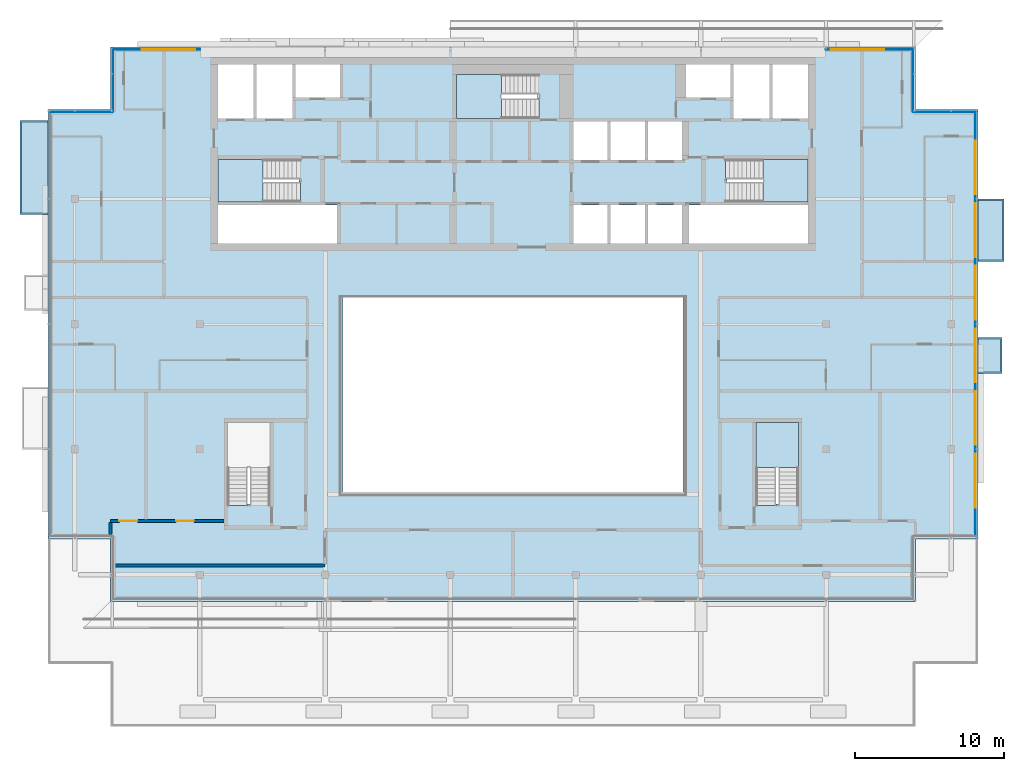
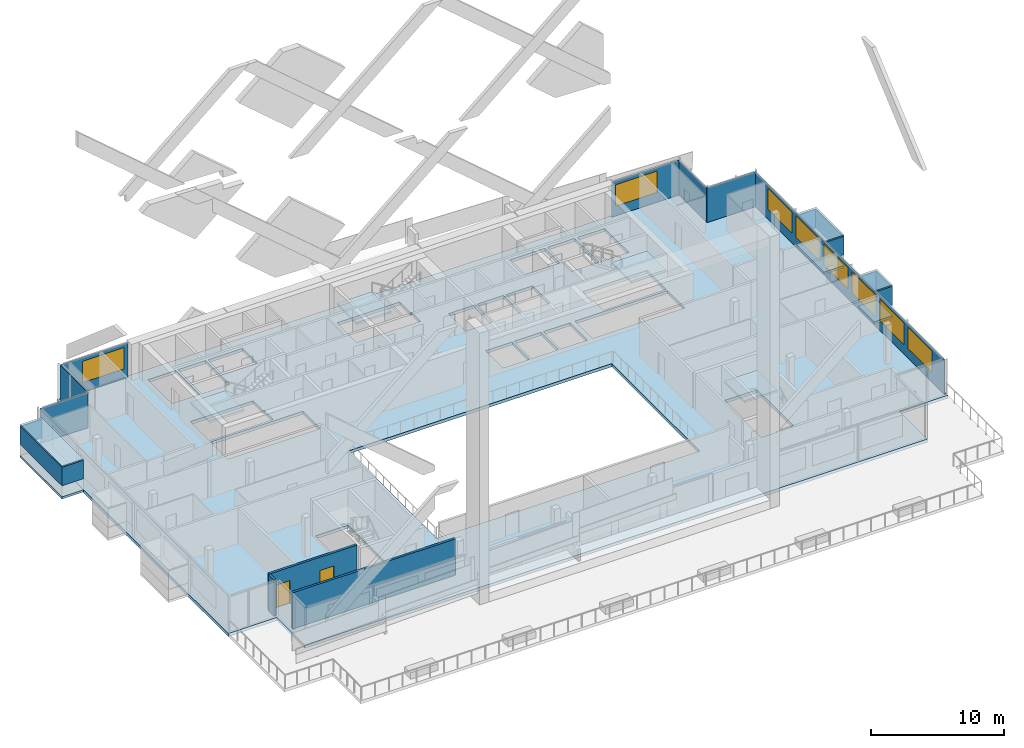
# One storey, part 10 of 22: 13 plates, 8 slabs, 8 windows, 3 walls, 2 doors, 10 openings, 10 elements without a shape of their own.
"""IFC4 building model written with IfcOpenShell, lengths in metres."""

from ifc_helpers import new_model, si_unit, direction, frame, frame_2d, origin, place, context, subcontext, project, spatial, polyline, rectangle, outline, extrude, material, layer, layer_set, type_object, element, fill, aggregate, save


model = new_model("IFC4")

# Units and contexts
model_context = context("Model", 3, precision=1e-05, world=origin(), true_north=direction((0.0, 1.0)))
body_context = subcontext(model_context, "Body", "Model", "MODEL_VIEW")
ifc_project = project(units=[si_unit("LENGTHUNIT", "METRE"), si_unit("AREAUNIT", "SQUARE_METRE"), si_unit("VOLUMEUNIT", "CUBIC_METRE"), si_unit("PLANEANGLEUNIT", "RADIAN"), si_unit("MASSUNIT", "GRAM", prefix="KILO")], contexts=[model_context])

# Site, building, storey
site_placement = place(None, origin())
site = spatial("IfcSite", under=ifc_project, at=site_placement, CompositionType="ELEMENT")
building_placement = place(site_placement, origin())
building = spatial("IfcBuilding", under=site, at=building_placement, Name="Saffron Gate Tower", CompositionType="ELEMENT")
storey_placement = place(building_placement, frame((0.0, 0.0, 285.14990234375)))
storey = spatial("IfcBuildingStorey", under=building, at=storey_placement, Name="L69", CompositionType="ELEMENT", Elevation=285.14990234375)

# Curtain wall, plate, openings, windows
ifc_material_1 = material(Name="Aluminium, bronze anodised", Category="aluminium")
curtain_wall_type_1 = type_object("IfcCurtainWallType", Name="CWS2 curtain wall side facades", PredefinedType="NOTDEFINED", material=ifc_material_1)
curtain_wall_1_placement = place(storey_placement, origin())
curtain_wall_1 = element("IfcCurtainWall", 1, at=curtain_wall_1_placement, inside=storey, type_object=curtain_wall_type_1, Name="CWS2 run 4", PredefinedType="NOTDEFINED")
ifc_material_2 = material(Name="Fritted bronze-tinted laminated glass", Category="glass")
ifc_layer_1 = layer(ifc_material_2, 0.028076171875)
ifc_layer_set_1 = layer_set([ifc_layer_1], Name="CWS2 fixed glass")
plate_type_1 = type_object("IfcPlateType", Name="CWS2 fixed glass", PredefinedType="CURTAIN_PANEL", material=ifc_layer_set_1)
plate_1_placement = place(storey_placement, frame((118.6259765625, 42.7880859375, 0.0), z_axis=(0.0, 0.0, 1.0), x_axis=(0.0, 1.0, 0.0)))
plate_1 = element("IfcPlate", 2, at=plate_1_placement, type_object=plate_type_1, Name="CWS2 glass panel", PredefinedType="CURTAIN_PANEL", context=body_context, shape_type="SweptSolid", body=[
    extrude(rectangle(XDim=28.423828125, YDim=0.028076171875, at=frame_2d((14.2119140625, 0.0))), origin(), (0.0, 0.0, 1.0), 3.2001953125),
])
opening_1_placement = place(plate_1_placement, frame((1.912109375, 0.0, 0.89990234375)))
opening_1 = element("IfcOpeningElement", 3, at=opening_1_placement, cuts=plate_1, Name="Opening W1", PredefinedType="OPENING", context=body_context, shape_type="SweptSolid", body=[
    extrude(rectangle(XDim=3.60009765625, YDim=1.949951171875, at=frame_2d((1.800048828125, 0.97509765625))), frame((0.0, 0.02392578125, 0.0), z_axis=(0.0, -1.0, 0.0), x_axis=(1.0, 0.0, 0.0)), (0.0, 0.0, 1.0), 0.048095703125),
])
opening_2_placement = place(plate_1_placement, frame((6.112060546875, 0.0, 0.89990234375)))
opening_2 = element("IfcOpeningElement", 4, at=opening_2_placement, cuts=plate_1, Name="Opening W1", PredefinedType="OPENING", context=body_context, shape_type="SweptSolid", body=[
    extrude(rectangle(XDim=3.60009765625, YDim=1.949951171875, at=frame_2d((1.800048828125, 0.97509765625))), frame((0.0, 0.02392578125, 0.0), z_axis=(0.0, -1.0, 0.0), x_axis=(1.0, 0.0, 0.0)), (0.0, 0.0, 1.0), 0.048095703125),
])
opening_3_placement = place(plate_1_placement, frame((10.31201171875, 0.0, 0.89990234375)))
opening_3 = element("IfcOpeningElement", 5, at=opening_3_placement, cuts=plate_1, Name="Opening W1", PredefinedType="OPENING", context=body_context, shape_type="SweptSolid", body=[
    extrude(rectangle(XDim=3.60009765625, YDim=1.949951171875, at=frame_2d((1.800048828125, 0.97509765625))), frame((0.0, 0.02392578125, 0.0), z_axis=(0.0, -1.0, 0.0), x_axis=(1.0, 0.0, 0.0)), (0.0, 0.0, 1.0), 0.048095703125),
])
opening_4_placement = place(plate_1_placement, frame((14.511962890625, 0.0, 0.89990234375)))
opening_4 = element("IfcOpeningElement", 6, at=opening_4_placement, cuts=plate_1, Name="Opening W1", PredefinedType="OPENING", context=body_context, shape_type="SweptSolid", body=[
    extrude(rectangle(XDim=3.60009765625, YDim=1.949951171875, at=frame_2d((1.800048828125, 0.97509765625))), frame((0.0, 0.02392578125, 0.0), z_axis=(0.0, -1.0, 0.0), x_axis=(1.0, 0.0, 0.0)), (0.0, 0.0, 1.0), 0.048095703125),
])
opening_5_placement = place(plate_1_placement, frame((18.7119140625, 0.0, 0.89990234375)))
opening_5 = element("IfcOpeningElement", 7, at=opening_5_placement, cuts=plate_1, Name="Opening W1", PredefinedType="OPENING", context=body_context, shape_type="SweptSolid", body=[
    extrude(rectangle(XDim=3.60009765625, YDim=1.949951171875, at=frame_2d((1.800048828125, 0.97509765625))), frame((0.0, 0.02392578125, 0.0), z_axis=(0.0, -1.0, 0.0), x_axis=(1.0, 0.0, 0.0)), (0.0, 0.0, 1.0), 0.048095703125),
])
opening_6_placement = place(plate_1_placement, frame((22.912109375, 0.0, 0.89990234375)))
opening_6 = element("IfcOpeningElement", 8, at=opening_6_placement, cuts=plate_1, Name="Opening W1", PredefinedType="OPENING", context=body_context, shape_type="SweptSolid", body=[
    extrude(rectangle(XDim=3.60009765625, YDim=1.949951171875, at=frame_2d((1.800048828125, 0.97509765625))), frame((0.0, 0.02392578125, 0.0), z_axis=(0.0, -1.0, 0.0), x_axis=(1.0, 0.0, 0.0)), (0.0, 0.0, 1.0), 0.048095703125),
])
ifc_material_3 = material(Name="Fritted bronze-tinted laminated glass in bronze frame", Category="glass")
ifc_layer_2 = layer(ifc_material_3, 0.06005859375)
ifc_layer_set_2 = layer_set([ifc_layer_2], Name="W1 operable panel 3600x1950")
window_type = type_object("IfcWindowType", Name="W1 operable panel 3600x1950", PartitioningType="DOUBLE_PANEL_HORIZONTAL", PredefinedType="WINDOW", material=ifc_layer_set_2)
window_1_placement = place(opening_1_placement, origin())
window_1 = element("IfcWindow", 9, at=window_1_placement, type_object=window_type, Name="W1 operable panel", OverallHeight=1.949951171875, OverallWidth=3.60009765625, PartitioningType="SINGLE_PANEL", PredefinedType="WINDOW", context=body_context, shape_type="SweptSolid", body=[
    extrude(rectangle(XDim=3.60009765625, YDim=1.949951171875, at=frame_2d((1.800048828125, 0.97509765625))), frame((0.0, 0.013671875, 0.0), z_axis=(0.0, -1.0, 0.0), x_axis=(1.0, 0.0, 0.0)), (0.0, 0.0, 1.0), 0.027587890625),
])
fill(opening_1, window_1)
window_2_placement = place(opening_2_placement, origin())
window_2 = element("IfcWindow", 10, at=window_2_placement, type_object=window_type, Name="W1 operable panel", OverallHeight=1.949951171875, OverallWidth=3.60009765625, PartitioningType="SINGLE_PANEL", PredefinedType="WINDOW", context=body_context, shape_type="SweptSolid", body=[
    extrude(rectangle(XDim=3.60009765625, YDim=1.949951171875, at=frame_2d((1.800048828125, 0.97509765625))), frame((0.0, 0.013671875, 0.0), z_axis=(0.0, -1.0, 0.0), x_axis=(1.0, 0.0, 0.0)), (0.0, 0.0, 1.0), 0.027587890625),
])
fill(opening_2, window_2)
window_3_placement = place(opening_3_placement, origin())
window_3 = element("IfcWindow", 11, at=window_3_placement, type_object=window_type, Name="W1 operable panel", OverallHeight=1.949951171875, OverallWidth=3.60009765625, PartitioningType="SINGLE_PANEL", PredefinedType="WINDOW", context=body_context, shape_type="SweptSolid", body=[
    extrude(rectangle(XDim=3.60009765625, YDim=1.949951171875, at=frame_2d((1.800048828125, 0.97509765625))), frame((0.0, 0.013671875, 0.0), z_axis=(0.0, -1.0, 0.0), x_axis=(1.0, 0.0, 0.0)), (0.0, 0.0, 1.0), 0.027587890625),
])
fill(opening_3, window_3)
window_4_placement = place(opening_4_placement, origin())
window_4 = element("IfcWindow", 12, at=window_4_placement, type_object=window_type, Name="W1 operable panel", OverallHeight=1.949951171875, OverallWidth=3.60009765625, PartitioningType="SINGLE_PANEL", PredefinedType="WINDOW", context=body_context, shape_type="SweptSolid", body=[
    extrude(rectangle(XDim=3.60009765625, YDim=1.949951171875, at=frame_2d((1.800048828125, 0.97509765625))), frame((0.0, 0.013671875, 0.0), z_axis=(0.0, -1.0, 0.0), x_axis=(1.0, 0.0, 0.0)), (0.0, 0.0, 1.0), 0.027587890625),
])
fill(opening_4, window_4)
window_5_placement = place(opening_5_placement, origin())
window_5 = element("IfcWindow", 13, at=window_5_placement, type_object=window_type, Name="W1 operable panel", OverallHeight=1.949951171875, OverallWidth=3.60009765625, PartitioningType="SINGLE_PANEL", PredefinedType="WINDOW", context=body_context, shape_type="SweptSolid", body=[
    extrude(rectangle(XDim=3.60009765625, YDim=1.949951171875, at=frame_2d((1.800048828125, 0.97509765625))), frame((0.0, 0.013671875, 0.0), z_axis=(0.0, -1.0, 0.0), x_axis=(1.0, 0.0, 0.0)), (0.0, 0.0, 1.0), 0.027587890625),
])
fill(opening_5, window_5)
window_6_placement = place(opening_6_placement, origin())
window_6 = element("IfcWindow", 14, at=window_6_placement, type_object=window_type, Name="W1 operable panel", OverallHeight=1.949951171875, OverallWidth=3.60009765625, PartitioningType="SINGLE_PANEL", PredefinedType="WINDOW", context=body_context, shape_type="SweptSolid", body=[
    extrude(rectangle(XDim=3.60009765625, YDim=1.949951171875, at=frame_2d((1.800048828125, 0.97509765625))), frame((0.0, 0.013671875, 0.0), z_axis=(0.0, -1.0, 0.0), x_axis=(1.0, 0.0, 0.0)), (0.0, 0.0, 1.0), 0.027587890625),
])
fill(opening_6, window_6)
aggregate(curtain_wall_1, [plate_1, window_1, window_2, window_3, window_4, window_5, window_6])

# Curtain wall, plates, openings, windows
curtain_wall_type_2 = type_object("IfcCurtainWallType", Name="CWS3 curtain wall rear facade", PredefinedType="NOTDEFINED", material=ifc_material_1)
curtain_wall_2_placement = place(storey_placement, origin())
curtain_wall_2 = element("IfcCurtainWall", 15, at=curtain_wall_2_placement, inside=storey, type_object=curtain_wall_type_2, Name="CWS3 run 7", PredefinedType="NOTDEFINED")
ifc_material_4 = material(Name="Fritted grey-tinted laminated glass", Category="glass")
ifc_layer_3 = layer(ifc_material_4, 0.028076171875)
ifc_layer_set_3 = layer_set([ifc_layer_3], Name="CWS3 fixed glass")
plate_type_2 = type_object("IfcPlateType", Name="CWS3 fixed glass", PredefinedType="CURTAIN_PANEL", material=ifc_layer_set_3)
plate_2_placement = place(storey_placement, frame((114.412109375, 75.426025390625, 0.0), z_axis=(0.0, 0.0, 1.0), x_axis=(-1.0, 0.0, 0.0)))
plate_2 = element("IfcPlate", 16, at=plate_2_placement, type_object=plate_type_2, Name="CWS3 glass panel", PredefinedType="CURTAIN_PANEL", context=body_context, shape_type="SweptSolid", body=[
    extrude(rectangle(XDim=5.84716796875, YDim=0.028076171875, at=frame_2d((2.923583984375, 0.0))), origin(), (0.0, 0.0, 1.0), 3.2001953125),
])
opening_7_placement = place(plate_2_placement, frame((1.912109375, 0.0, 0.89990234375)))
opening_7 = element("IfcOpeningElement", 17, at=opening_7_placement, cuts=plate_2, Name="Opening W1", PredefinedType="OPENING", context=body_context, shape_type="SweptSolid", body=[
    extrude(rectangle(XDim=3.60009765625, YDim=1.949951171875, at=frame_2d((1.800048828125, 0.97509765625))), frame((0.0, 0.02392578125, 0.0), z_axis=(0.0, -1.0, 0.0), x_axis=(1.0, 0.0, 0.0)), (0.0, 0.0, 1.0), 0.048095703125),
])
window_7_placement = place(opening_7_placement, origin())
window_7 = element("IfcWindow", 18, at=window_7_placement, type_object=window_type, Name="W1 operable panel", OverallHeight=1.949951171875, OverallWidth=3.60009765625, PartitioningType="SINGLE_PANEL", PredefinedType="WINDOW", context=body_context, shape_type="SweptSolid", body=[
    extrude(rectangle(XDim=3.60009765625, YDim=1.949951171875, at=frame_2d((1.800048828125, 0.97509765625))), frame((0.0, 0.013671875, 0.0), z_axis=(0.0, -1.0, 0.0), x_axis=(1.0, 0.0, 0.0)), (0.0, 0.0, 1.0), 0.027587890625),
])
fill(opening_7, window_7)
plate_3_placement = place(storey_placement, frame((66.635009765625, 75.426025390625, 0.0), z_axis=(0.0, 0.0, 1.0), x_axis=(-1.0, 0.0, 0.0)))
plate_3 = element("IfcPlate", 19, at=plate_3_placement, type_object=plate_type_2, Name="CWS3 glass panel", PredefinedType="CURTAIN_PANEL", context=body_context, shape_type="SweptSolid", body=[
    extrude(rectangle(XDim=5.846923828125, YDim=0.028076171875, at=frame_2d((2.92333984375, 0.0))), origin(), (0.0, 0.0, 1.0), 3.2001953125),
])
opening_8_placement = place(plate_3_placement, frame((0.3349609375, 0.0, 0.89990234375)))
opening_8 = element("IfcOpeningElement", 20, at=opening_8_placement, cuts=plate_3, Name="Opening W1", PredefinedType="OPENING", context=body_context, shape_type="SweptSolid", body=[
    extrude(rectangle(XDim=3.60009765625, YDim=1.949951171875, at=frame_2d((1.800048828125, 0.97509765625))), frame((0.0, 0.02392578125, 0.0), z_axis=(0.0, -1.0, 0.0), x_axis=(1.0, 0.0, 0.0)), (0.0, 0.0, 1.0), 0.048095703125),
])
window_8_placement = place(opening_8_placement, origin())
window_8 = element("IfcWindow", 21, at=window_8_placement, type_object=window_type, Name="W1 operable panel", OverallHeight=1.949951171875, OverallWidth=3.60009765625, PartitioningType="SINGLE_PANEL", PredefinedType="WINDOW", context=body_context, shape_type="SweptSolid", body=[
    extrude(rectangle(XDim=3.60009765625, YDim=1.949951171875, at=frame_2d((1.800048828125, 0.97509765625))), frame((0.0, 0.013671875, 0.0), z_axis=(0.0, -1.0, 0.0), x_axis=(1.0, 0.0, 0.0)), (0.0, 0.0, 1.0), 0.027587890625),
])
fill(opening_8, window_8)
aggregate(curtain_wall_2, [plate_2, plate_3, window_7, window_8])

# Curtain wall, plate
curtain_wall_type_3 = type_object("IfcCurtainWallType", Name="CWS4 curtain wall corner returns", PredefinedType="NOTDEFINED", material=ifc_material_1)
curtain_wall_3_placement = place(storey_placement, origin())
curtain_wall_3 = element("IfcCurtainWall", 22, at=curtain_wall_3_placement, inside=storey, type_object=curtain_wall_type_3, Name="CWS4 run 5", PredefinedType="NOTDEFINED")
ifc_layer_4 = layer(ifc_material_2, 0.028076171875)
ifc_layer_set_4 = layer_set([ifc_layer_4], Name="CWS4 fixed glass")
plate_type_3 = type_object("IfcPlateType", Name="CWS4 fixed glass", PredefinedType="CURTAIN_PANEL", material=ifc_layer_set_4)
plate_4_placement = place(storey_placement, frame((118.612060546875, 71.22607421875, 0.0), z_axis=(0.0, 0.0, 1.0), x_axis=(-1.0, 0.0, 0.0)))
plate_4 = element("IfcPlate", 23, at=plate_4_placement, type_object=plate_type_3, Name="CWS4 glass panel", PredefinedType="CURTAIN_PANEL", context=body_context, shape_type="SweptSolid", body=[
    extrude(rectangle(XDim=4.172119140625, YDim=0.028076171875, at=frame_2d((2.0859375, 0.0))), origin(), (0.0, 0.0, 1.0), 3.2001953125),
])
aggregate(curtain_wall_3, [plate_4])

curtain_wall_4_placement = place(storey_placement, origin())
curtain_wall_4 = element("IfcCurtainWall", 24, at=curtain_wall_4_placement, inside=storey, type_object=curtain_wall_type_3, Name="CWS4 run 6", PredefinedType="NOTDEFINED")
plate_5_placement = place(storey_placement, frame((114.426025390625, 71.239990234375, 0.0), z_axis=(0.0, 0.0, 1.0), x_axis=(0.0, 1.0, 0.0)))
plate_5 = element("IfcPlate", 25, at=plate_5_placement, type_object=plate_type_3, Name="CWS4 glass panel", PredefinedType="CURTAIN_PANEL", context=body_context, shape_type="SweptSolid", body=[
    extrude(rectangle(XDim=4.172119140625, YDim=0.028076171875, at=frame_2d((2.0859375, 0.0))), origin(), (0.0, 0.0, 1.0), 3.2001953125),
])
aggregate(curtain_wall_4, [plate_5])

curtain_wall_5_placement = place(storey_placement, origin())
curtain_wall_5 = element("IfcCurtainWall", 26, at=curtain_wall_5_placement, inside=storey, type_object=curtain_wall_type_3, Name="CWS4 run 8", PredefinedType="NOTDEFINED")
plate_6_placement = place(storey_placement, frame((60.77392578125, 75.412109375, 0.0), z_axis=(0.0, 0.0, 1.0), x_axis=(0.0, -1.0, 0.0)))
plate_6 = element("IfcPlate", 27, at=plate_6_placement, type_object=plate_type_3, Name="CWS4 glass panel", PredefinedType="CURTAIN_PANEL", context=body_context, shape_type="SweptSolid", body=[
    extrude(rectangle(XDim=4.172119140625, YDim=0.028076171875, at=frame_2d((2.0859375, 0.0))), origin(), (0.0, 0.0, 1.0), 3.2001953125),
])
aggregate(curtain_wall_5, [plate_6])

curtain_wall_6_placement = place(storey_placement, origin())
curtain_wall_6 = element("IfcCurtainWall", 28, at=curtain_wall_6_placement, inside=storey, type_object=curtain_wall_type_3, Name="CWS4 run 9", PredefinedType="NOTDEFINED")
plate_7_placement = place(storey_placement, frame((60.760009765625, 71.22607421875, 0.0), z_axis=(0.0, 0.0, 1.0), x_axis=(-1.0, 0.0, 0.0)))
plate_7 = element("IfcPlate", 29, at=plate_7_placement, type_object=plate_type_3, Name="CWS4 glass panel", PredefinedType="CURTAIN_PANEL", context=body_context, shape_type="SweptSolid", body=[
    extrude(rectangle(XDim=4.172119140625, YDim=0.028076171875, at=frame_2d((2.0859375, 0.0))), origin(), (0.0, 0.0, 1.0), 3.2001953125),
])
aggregate(curtain_wall_6, [plate_7])

# Slab
ifc_material_5 = material(Name="Concrete C40", Category="concrete")
ifc_layer_5 = layer(ifc_material_5, 0.280029296875)
ifc_layer_set_5 = layer_set([ifc_layer_5], Name="S2 FLOOR SLAB 280 CONCRETE C40")
slab_type_1 = type_object("IfcSlabType", Name="S2 FLOOR SLAB 280 CONCRETE C40", PredefinedType="FLOOR", material=ifc_layer_set_5)
slab_1_placement = place(storey_placement, frame((0.0, 0.0, -0.27978515625)))
element("IfcSlab", 30, at=slab_1_placement, inside=storey, type_object=slab_type_1, Name="S2 FLOOR SLAB", PredefinedType="FLOOR", context=body_context, shape_type="SweptSolid", body=[
    extrude(outline(polyline([(56.39990234375, 42.60009765625), (60.60009765625, 42.60009765625), (60.60009765625, 38.39990234375), (114.60009765625, 38.39990234375), (114.60009765625, 42.60009765625), (118.800048828125, 42.60009765625), (118.800048828125, 71.39990234375), (114.60009765625, 71.39990234375), (114.60009765625, 75.60009765625), (60.60009765625, 75.60009765625), (60.60009765625, 71.39990234375), (56.39990234375, 71.39990234375), (56.39990234375, 42.60009765625)]), holes=[polyline([(67.800048828125, 62.39990234375), (67.800048828125, 65.0), (75.800048828125, 65.0), (75.800048828125, 62.39990234375), (67.800048828125, 62.39990234375)]), polyline([(67.800048828125, 65.199951171875), (67.800048828125, 68.050048828125), (73.25, 68.050048828125), (73.25, 66.550048828125), (73.34912109375, 66.550048828125), (73.34912109375, 65.199951171875), (67.800048828125, 65.199951171875)]), polyline([(67.800048828125, 70.800048828125), (67.800048828125, 74.39990234375), (70.199951171875, 74.39990234375), (70.199951171875, 70.800048828125), (67.800048828125, 70.800048828125)]), polyline([(68.449951171875, 44.85107421875), (68.449951171875, 50.39990234375), (71.300048828125, 50.39990234375), (71.300048828125, 44.949951171875), (69.800048828125, 44.949951171875), (69.800048828125, 44.85107421875), (68.449951171875, 44.85107421875)]), polyline([(70.39990234375, 70.800048828125), (70.39990234375, 74.39990234375), (72.800048828125, 74.39990234375), (72.800048828125, 70.800048828125), (70.39990234375, 70.800048828125)]), polyline([(73.0, 72.199951171875), (73.0, 74.39990234375), (76.0, 74.39990234375), (76.0, 72.199951171875), (73.0, 72.199951171875)]), polyline([(76.199951171875, 45.60009765625), (76.199951171875, 58.800048828125), (99.0, 58.800048828125), (99.0, 45.60009765625), (76.199951171875, 45.60009765625)]), polyline([(83.800048828125, 70.800048828125), (83.800048828125, 73.75), (89.25, 73.75), (89.25, 72.14990234375), (89.34912109375, 72.14990234375), (89.34912109375, 70.800048828125), (83.800048828125, 70.800048828125)]), polyline([(91.64990234375, 62.39990234375), (91.64990234375, 65.0), (93.949951171875, 65.0), (93.949951171875, 62.39990234375), (91.64990234375, 62.39990234375)]), polyline([(91.64990234375, 68.0), (91.64990234375, 70.60009765625), (93.949951171875, 70.60009765625), (93.949951171875, 68.0), (91.64990234375, 68.0)]), polyline([(94.14990234375, 62.39990234375), (94.14990234375, 65.0), (96.449951171875, 65.0), (96.449951171875, 62.39990234375), (94.14990234375, 62.39990234375)]), polyline([(94.14990234375, 68.0), (94.14990234375, 70.60009765625), (96.449951171875, 70.60009765625), (96.449951171875, 68.0), (94.14990234375, 68.0)]), polyline([(96.64990234375, 62.39990234375), (96.64990234375, 65.0), (98.949951171875, 65.0), (98.949951171875, 62.39990234375), (96.64990234375, 62.39990234375)]), polyline([(96.64990234375, 68.0), (96.64990234375, 70.60009765625), (98.949951171875, 70.60009765625), (98.949951171875, 68.0), (96.64990234375, 68.0)]), polyline([(99.199951171875, 72.199951171875), (99.199951171875, 74.39990234375), (102.199951171875, 74.39990234375), (102.199951171875, 72.199951171875), (99.199951171875, 72.199951171875)]), polyline([(99.39990234375, 62.39990234375), (99.39990234375, 65.0), (107.39990234375, 65.0), (107.39990234375, 62.39990234375), (99.39990234375, 62.39990234375)]), polyline([(101.85107421875, 66.699951171875), (101.85107421875, 68.050048828125), (107.39990234375, 68.050048828125), (107.39990234375, 65.199951171875), (101.949951171875, 65.199951171875), (101.949951171875, 66.699951171875), (101.85107421875, 66.699951171875)]), polyline([(102.39990234375, 70.800048828125), (102.39990234375, 74.39990234375), (104.800048828125, 74.39990234375), (104.800048828125, 70.800048828125), (102.39990234375, 70.800048828125)]), polyline([(103.89990234375, 44.85107421875), (103.89990234375, 50.39990234375), (106.75, 50.39990234375), (106.75, 44.949951171875), (105.25, 44.949951171875), (105.25, 44.85107421875), (103.89990234375, 44.85107421875)]), polyline([(105.0, 70.800048828125), (105.0, 74.39990234375), (107.39990234375, 74.39990234375), (107.39990234375, 70.800048828125), (105.0, 70.800048828125)])]), origin(), (0.0, 0.0, 1.0), 0.27978515625),
])

# Stair, slab
stair_type = type_object("IfcStairType", Name="ST7 Stair 1350 wide, 20 risers of 180", PredefinedType="HALF_TURN_STAIR", material=ifc_material_5)
stair_1_placement = place(storey_placement, origin())
stair_1 = element("IfcStair", 31, at=stair_1_placement, inside=storey, type_object=stair_type, Name="L69 Exit stair A", PredefinedType="HALF_TURN_STAIR")
ifc_layer_6 = layer(ifc_material_5, 0.199951171875)
ifc_layer_set_6 = layer_set([ifc_layer_6], Name="SL1 Stair landing 200")
slab_type_2 = type_object("IfcSlabType", Name="SL1 Stair landing 200", PredefinedType="LANDING", material=ifc_layer_set_6)
slab_2_placement = place(storey_placement, frame((0.0, 0.0, 1.60009765625)))
slab_2 = element("IfcSlab", 32, at=slab_2_placement, type_object=slab_type_2, Name="ST-A landing 1", PredefinedType="LANDING", context=body_context, shape_type="SweptSolid", body=[
    extrude(outline(polyline([(70.830078125, 68.050048828125), (67.800048828125, 68.050048828125), (67.800048828125, 65.199951171875), (70.830078125, 65.199951171875), (70.830078125, 68.050048828125)])), origin(), (0.0, 0.0, 1.0), 0.199951171875),
])
aggregate(stair_1, [slab_2])

stair_2_placement = place(storey_placement, origin())
stair_2 = element("IfcStair", 33, at=stair_2_placement, inside=storey, type_object=stair_type, Name="L69 Exit stair B", PredefinedType="HALF_TURN_STAIR")
slab_3_placement = place(storey_placement, frame((0.0, 0.0, 1.60009765625)))
slab_3 = element("IfcSlab", 34, at=slab_3_placement, type_object=slab_type_2, Name="ST-B landing 1", PredefinedType="LANDING", context=body_context, shape_type="SweptSolid", body=[
    extrude(outline(polyline([(104.3701171875, 65.199951171875), (107.39990234375, 65.199951171875), (107.39990234375, 68.050048828125), (104.3701171875, 68.050048828125), (104.3701171875, 65.199951171875)])), origin(), (0.0, 0.0, 1.0), 0.199951171875),
])
aggregate(stair_2, [slab_3])

stair_3_placement = place(storey_placement, origin())
stair_3 = element("IfcStair", 35, at=stair_3_placement, inside=storey, type_object=stair_type, Name="L69 Exit stair C", PredefinedType="HALF_TURN_STAIR")
slab_4_placement = place(storey_placement, frame((0.0, 0.0, 1.60009765625)))
slab_4 = element("IfcSlab", 36, at=slab_4_placement, type_object=slab_type_2, Name="ST-C landing 1", PredefinedType="LANDING", context=body_context, shape_type="SweptSolid", body=[
    extrude(outline(polyline([(86.830078125, 73.75), (83.800048828125, 73.75), (83.800048828125, 70.800048828125), (86.830078125, 70.800048828125), (86.830078125, 73.75)])), origin(), (0.0, 0.0, 1.0), 0.199951171875),
])
aggregate(stair_3, [slab_4])

stair_4_placement = place(storey_placement, origin())
stair_4 = element("IfcStair", 37, at=stair_4_placement, inside=storey, type_object=stair_type, Name="L69 Exit stair E", PredefinedType="HALF_TURN_STAIR")
slab_5_placement = place(storey_placement, frame((0.0, 0.0, 1.60009765625)))
slab_5 = element("IfcSlab", 38, at=slab_5_placement, type_object=slab_type_2, Name="ST-E landing 1", PredefinedType="LANDING", context=body_context, shape_type="SweptSolid", body=[
    extrude(outline(polyline([(106.75, 47.3701171875), (106.75, 50.39990234375), (103.89990234375, 50.39990234375), (103.89990234375, 47.3701171875), (106.75, 47.3701171875)])), origin(), (0.0, 0.0, 1.0), 0.199951171875),
])
aggregate(stair_4, [slab_5])

# Slabs
ifc_material_6 = material(Name="Timber deck on bronze frame", Category="wood")
ifc_layer_7 = layer(ifc_material_6, 0.199951171875)
ifc_layer_set_7 = layer_set([ifc_layer_7], Name="WB1 box floor")
slab_type_3 = type_object("IfcSlabType", Name="WB1 box floor", PredefinedType="FLOOR", material=ifc_layer_set_7)
slab_6_placement = place(storey_placement, frame((0.0, 0.0, -0.199951171875)))
element("IfcSlab", 39, at=slab_6_placement, inside=storey, type_object=slab_type_3, Name="WINDOW BOX floor", PredefinedType="FLOOR", context=body_context, shape_type="SweptSolid", body=[
    extrude(outline(polyline([(118.800048828125, 53.699951171875), (118.800048828125, 56.10009765625), (120.39990234375, 56.10009765625), (120.39990234375, 53.699951171875), (118.800048828125, 53.699951171875)])), origin(), (0.0, 0.0, 1.0), 0.199951171875),
])
slab_7_placement = place(storey_placement, frame((0.0, 0.0, -0.199951171875)))
element("IfcSlab", 40, at=slab_7_placement, inside=storey, type_object=slab_type_3, Name="WINDOW BOX floor", PredefinedType="FLOOR", context=body_context, shape_type="SweptSolid", body=[
    extrude(outline(polyline([(118.800048828125, 61.199951171875), (118.800048828125, 65.39990234375), (120.532958984375, 65.39990234375), (120.532958984375, 61.199951171875), (118.800048828125, 61.199951171875)])), origin(), (0.0, 0.0, 1.0), 0.199951171875),
])
slab_8_placement = place(storey_placement, frame((0.0, 0.0, -0.199951171875)))
element("IfcSlab", 41, at=slab_8_placement, inside=storey, type_object=slab_type_3, Name="WINDOW BOX floor", PredefinedType="FLOOR", context=body_context, shape_type="SweptSolid", body=[
    extrude(outline(polyline([(56.39990234375, 70.64990234375), (56.39990234375, 64.35009765625), (54.532958984375, 64.35009765625), (54.532958984375, 70.64990234375), (56.39990234375, 70.64990234375)])), origin(), (0.0, 0.0, 1.0), 0.199951171875),
])

# Plates
ifc_layer_8 = layer(ifc_material_1, 0.1201171875)
ifc_layer_set_8 = layer_set([ifc_layer_8], Name="WB2 box roof")
plate_type_4 = type_object("IfcPlateType", Name="WB2 box roof", PredefinedType="SHEET", material=ifc_layer_set_8)
plate_8_placement = place(storey_placement, frame((0.0, 0.0, 2.7001953125)))
element("IfcPlate", 42, at=plate_8_placement, inside=storey, type_object=plate_type_4, Name="WINDOW BOX roof", PredefinedType="SHEET", context=body_context, shape_type="SweptSolid", body=[
    extrude(outline(polyline([(118.800048828125, 53.699951171875), (118.800048828125, 56.10009765625), (120.39990234375, 56.10009765625), (120.39990234375, 53.699951171875), (118.800048828125, 53.699951171875)])), origin(), (0.0, 0.0, 1.0), 0.119873046875),
])
plate_9_placement = place(storey_placement, frame((0.0, 0.0, 2.7001953125)))
element("IfcPlate", 43, at=plate_9_placement, inside=storey, type_object=plate_type_4, Name="WINDOW BOX roof", PredefinedType="SHEET", context=body_context, shape_type="SweptSolid", body=[
    extrude(outline(polyline([(118.800048828125, 61.199951171875), (118.800048828125, 65.39990234375), (120.532958984375, 65.39990234375), (120.532958984375, 61.199951171875), (118.800048828125, 61.199951171875)])), origin(), (0.0, 0.0, 1.0), 0.119873046875),
])
plate_10_placement = place(storey_placement, frame((0.0, 0.0, 2.7001953125)))
element("IfcPlate", 44, at=plate_10_placement, inside=storey, type_object=plate_type_4, Name="WINDOW BOX roof", PredefinedType="SHEET", context=body_context, shape_type="SweptSolid", body=[
    extrude(outline(polyline([(56.39990234375, 70.64990234375), (56.39990234375, 64.35009765625), (54.532958984375, 64.35009765625), (54.532958984375, 70.64990234375), (56.39990234375, 70.64990234375)])), origin(), (0.0, 0.0, 1.0), 0.119873046875),
])
ifc_material_7 = material(Name="Clear low-iron laminated glass", Category="glass")
ifc_layer_9 = layer(ifc_material_7, 0.10009765625)
ifc_layer_set_9 = layer_set([ifc_layer_9], Name="WB6 box glazing")
plate_type_5 = type_object("IfcPlateType", Name="WB6 box glazing", PredefinedType="SHEET", material=ifc_layer_set_9)
plate_11_placement = place(storey_placement, frame((0.0, 0.0, 1.0)))
element("IfcPlate", 45, at=plate_11_placement, inside=storey, type_object=plate_type_5, Name="WINDOW BOX glazing", PredefinedType="SHEET", context=body_context, shape_type="SweptSolid", body=[
    extrude(outline(polyline([(118.800048828125, 53.699951171875), (118.800048828125, 53.800048828125), (120.300048828125, 53.800048828125), (120.300048828125, 56.0), (118.800048828125, 56.0), (118.800048828125, 56.10009765625), (120.39990234375, 56.10009765625), (120.39990234375, 53.699951171875), (118.800048828125, 53.699951171875)])), origin(), (0.0, 0.0, 1.0), 1.7001953125),
])
plate_12_placement = place(storey_placement, frame((0.0, 0.0, 1.0)))
element("IfcPlate", 46, at=plate_12_placement, inside=storey, type_object=plate_type_5, Name="WINDOW BOX glazing", PredefinedType="SHEET", context=body_context, shape_type="SweptSolid", body=[
    extrude(outline(polyline([(118.800048828125, 61.199951171875), (118.800048828125, 61.300048828125), (120.43310546875, 61.300048828125), (120.43310546875, 65.300048828125), (118.800048828125, 65.300048828125), (118.800048828125, 65.39990234375), (120.532958984375, 65.39990234375), (120.532958984375, 61.199951171875), (118.800048828125, 61.199951171875)])), origin(), (0.0, 0.0, 1.0), 1.7001953125),
])
plate_13_placement = place(storey_placement, frame((0.0, 0.0, 1.0)))
element("IfcPlate", 47, at=plate_13_placement, inside=storey, type_object=plate_type_5, Name="WINDOW BOX glazing", PredefinedType="SHEET", context=body_context, shape_type="SweptSolid", body=[
    extrude(outline(polyline([(56.39990234375, 70.64990234375), (56.39990234375, 70.550048828125), (54.633056640625, 70.550048828125), (54.633056640625, 64.449951171875), (56.39990234375, 64.449951171875), (56.39990234375, 64.35009765625), (54.532958984375, 64.35009765625), (54.532958984375, 70.64990234375), (56.39990234375, 70.64990234375)])), origin(), (0.0, 0.0, 1.0), 1.7001953125),
])

# Wall
ifc_material_8 = material(Name="Clay brick masonry, rendered", Category="masonry")
ifc_layer_10 = layer(ifc_material_8, 0.199951171875)
ifc_layer_set_10 = layer_set([ifc_layer_10], Name="PW3 Corridor wall 200")
wall_type = type_object("IfcWallType", Name="PW3 Corridor wall 200", PredefinedType="PARTITIONING", material=ifc_layer_set_10)
wall_1_placement = place(storey_placement, frame((60.8798828125, 40.800048828125, 0.0), z_axis=(0.0, 0.0, 1.0), x_axis=(1.0, 0.0, 0.0)))
element("IfcWall", 48, at=wall_1_placement, inside=storey, type_object=wall_type, Name="Wall E4-1", PredefinedType="PARTITIONING", context=body_context, shape_type="SweptSolid", body=[
    extrude(rectangle(XDim=14.1201171875, YDim=0.199951171875, at=frame_2d((7.06005859375, 0.0))), origin(), (0.0, 0.0, 1.0), 3.320068359375),
])

# Wall, openings, doors
wall_2_placement = place(storey_placement, frame((60.60009765625, 43.800048828125, 0.0), z_axis=(0.0, 0.0, 1.0), x_axis=(1.0, 0.0, 0.0)))
wall_2 = element("IfcWall", 49, at=wall_2_placement, inside=storey, type_object=wall_type, Name="Wall E4-4", PredefinedType="PARTITIONING", context=body_context, shape_type="SweptSolid", body=[
    extrude(rectangle(XDim=7.599853515625, YDim=0.199951171875, at=frame_2d((3.7998046875, 0.0))), origin(), (0.0, 0.0, 1.0), 3.320068359375),
])
opening_9_placement = place(wall_2_placement, frame((0.60009765625, 0.0, 0.0)))
opening_9 = element("IfcOpeningElement", 50, at=opening_9_placement, cuts=wall_2, Name="Opening E4-18", PredefinedType="OPENING", context=body_context, shape_type="SweptSolid", body=[
    extrude(rectangle(XDim=1.199951171875, YDim=2.10009765625, at=frame_2d((0.60009765625, 1.050048828125))), frame((0.0, 0.10986328125, 0.0), z_axis=(0.0, -1.0, 0.0), x_axis=(1.0, 0.0, 0.0)), (0.0, 0.0, 1.0), 0.219970703125),
])
opening_10_placement = place(wall_2_placement, frame((4.39990234375, 0.0, 0.0)))
opening_10 = element("IfcOpeningElement", 51, at=opening_10_placement, cuts=wall_2, Name="Opening E4-19", PredefinedType="OPENING", context=body_context, shape_type="SweptSolid", body=[
    extrude(rectangle(XDim=1.199951171875, YDim=2.10009765625, at=frame_2d((0.60009765625, 1.050048828125))), frame((0.0, 0.10986328125, 0.0), z_axis=(0.0, -1.0, 0.0), x_axis=(1.0, 0.0, 0.0)), (0.0, 0.0, 1.0), 0.219970703125),
])
ifc_material_9 = material(Name="Timber door set", Category="wood")
door_type = type_object("IfcDoorType", Name="HD1 Hall door 1200x2100", OperationType="NOTDEFINED", PredefinedType="DOOR", material=ifc_material_9)
door_1_placement = place(opening_9_placement, origin())
door_1 = element("IfcDoor", 52, at=door_1_placement, inside=storey, type_object=door_type, Name="Door E4-18", OperationType="SINGLE_SWING_RIGHT", OverallHeight=2.10009765625, OverallWidth=1.199951171875, PredefinedType="DOOR", context=body_context, shape_type="SweptSolid", body=[
    extrude(rectangle(XDim=1.199951171875, YDim=2.10009765625, at=frame_2d((0.60009765625, 1.050048828125))), frame((0.0, 0.02490234375, 0.0), z_axis=(0.0, -1.0, 0.0), x_axis=(1.0, 0.0, 0.0)), (0.0, 0.0, 1.0), 0.050048828125),
])
fill(opening_9, door_1)
door_2_placement = place(opening_10_placement, origin())
door_2 = element("IfcDoor", 53, at=door_2_placement, inside=storey, type_object=door_type, Name="Door E4-19", OperationType="SINGLE_SWING_RIGHT", OverallHeight=2.10009765625, OverallWidth=1.199951171875, PredefinedType="DOOR", context=body_context, shape_type="SweptSolid", body=[
    extrude(rectangle(XDim=1.199951171875, YDim=2.10009765625, at=frame_2d((0.60009765625, 1.050048828125))), frame((0.0, 0.02490234375, 0.0), z_axis=(0.0, -1.0, 0.0), x_axis=(1.0, 0.0, 0.0)), (0.0, 0.0, 1.0), 0.050048828125),
])
fill(opening_10, door_2)

# Wall
wall_3_placement = place(storey_placement, frame((60.60009765625, 43.699951171875, 0.0), z_axis=(0.0, 0.0, 1.0), x_axis=(0.0, -1.0, 0.0)))
element("IfcWall", 54, at=wall_3_placement, inside=storey, type_object=wall_type, Name="Wall E4-28", PredefinedType="PARTITIONING", context=body_context, shape_type="SweptSolid", body=[
    extrude(rectangle(XDim=0.820068359375, YDim=0.199951171875, at=frame_2d((0.41015625, 0.0))), origin(), (0.0, 0.0, 1.0), 3.320068359375),
])

save(model, "model.ifc")
